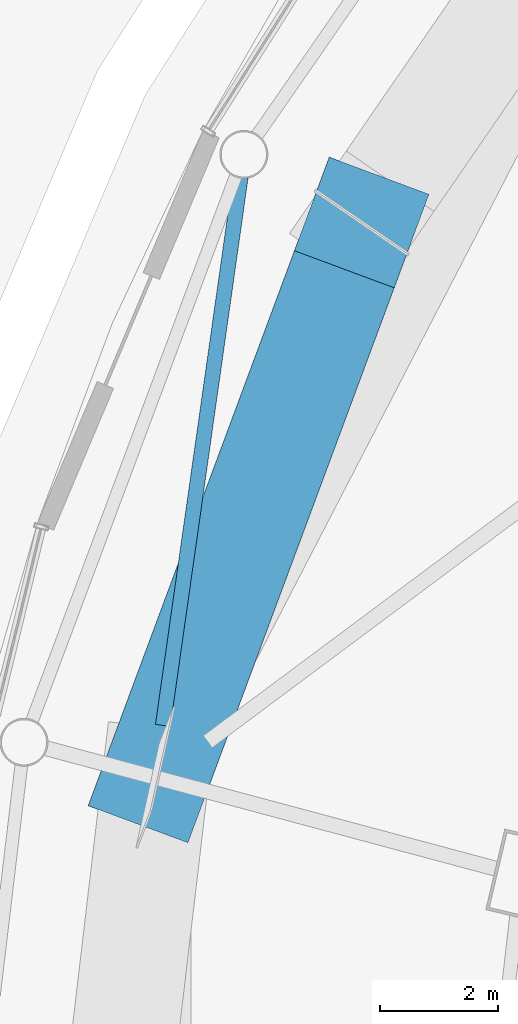
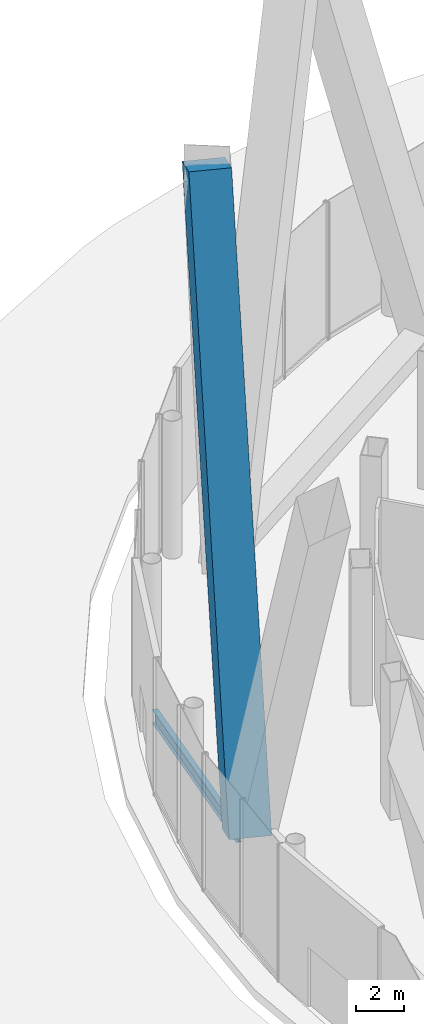
# One storey, part 27 of 67: 1 beam, 1 member.
"""IFC4 building model written with IfcOpenShell, lengths in metres."""

from ifc_helpers import new_model, si_unit, direction, frame, origin, origin_2d, place, context, subcontext, project, spatial, rectangle, i_section, extrude, material, material_profile, profile_set, type_object, element, save


model = new_model("IFC4")

# Units and contexts
model_context = context("Model", 3, precision=1e-05, world=origin(), true_north=direction((0.0, 1.0)))
body_context = subcontext(model_context, "Body", "Model", "MODEL_VIEW")
ifc_project = project(units=[si_unit("LENGTHUNIT", "METRE"), si_unit("AREAUNIT", "SQUARE_METRE"), si_unit("VOLUMEUNIT", "CUBIC_METRE"), si_unit("PLANEANGLEUNIT", "RADIAN"), si_unit("MASSUNIT", "GRAM", prefix="KILO")], contexts=[model_context])

# Site, building, storey
site_placement = place(None, origin())
site = spatial("IfcSite", under=ifc_project, at=site_placement, CompositionType="ELEMENT")
building_placement = place(site_placement, origin())
building = spatial("IfcBuilding", under=site, at=building_placement, Name="Nagisa Residences", CompositionType="ELEMENT")
storey_placement = place(building_placement, origin())
storey = spatial("IfcBuildingStorey", under=building, at=storey_placement, Name="L00", CompositionType="ELEMENT", Elevation=0.0)

# Beam
ifc_material_1 = material(Name="Steel ASTM A572 Gr 50", Category="steel")
ifc_material_profile_1 = material_profile(ifc_material_1, i_section(OverallWidth=0.2529296875, OverallDepth=0.677978515625, WebThickness=0.01171875, FlangeThickness=0.016357421875, at=origin_2d()), Name="W690x125")
ifc_profile_set_1 = profile_set([ifc_material_profile_1], Name="Steel ASTM A572 Gr 50")
beam_type = type_object("IfcBeamType", Name="Atrium outer beam W690x125", PredefinedType="BEAM", material=ifc_profile_set_1)
beam_placement = place(storey_placement, frame((-29.98583984375, 10.9482421875, -0.739013671875), z_axis=(0.140508564178, 0.990079463171, 0.0), x_axis=(-0.990079463171, 0.140508564178, 0.0)))
element("IfcBeam", 1, at=beam_placement, inside=storey, type_object=beam_type, Name="beam:L00:er11b", PredefinedType="BEAM", context=body_context, shape_type="SweptSolid", body=[
    extrude(i_section(OverallWidth=0.2529296875, OverallDepth=0.677978515625, WebThickness=0.01171875, FlangeThickness=0.016357421875, at=origin_2d()), origin(), (0.0, 0.0, 1.0), 9.36181640625),
])

# Member
ifc_material_2 = material(Name="Concrete C80", Category="concrete")
ifc_material_profile_2 = material_profile(ifc_material_2, rectangle(XDim=1.800048828125, YDim=1.800048828125, at=origin_2d()), Name="C80 1800x1800")
ifc_profile_set_2 = profile_set([ifc_material_profile_2], Name="Concrete C80")
member_type = type_object("IfcMemberType", Name="Cage diagonal 1 C80 1800x1800", PredefinedType="BRACE", material=ifc_profile_set_2)
member_placement = place(storey_placement, frame((-30.11083984375, 10.068115234375, 0.0), z_axis=(0.121080878457, 0.325810237192, 0.937649780149), x_axis=(-0.937363610568, 0.348352496162, 0.0)))
element("IfcMember", 2, at=member_placement, inside=storey, type_object=member_type, Name="mem:L00:cg1d011", PredefinedType="BRACE", context=body_context, shape_type="SweptSolid", body=[
    extrude(rectangle(XDim=1.800048828125, YDim=1.800048828125, at=origin_2d()), origin(), (0.0, 0.0, 1.0), 28.79541015625),
])

save(model, "model.ifc")
